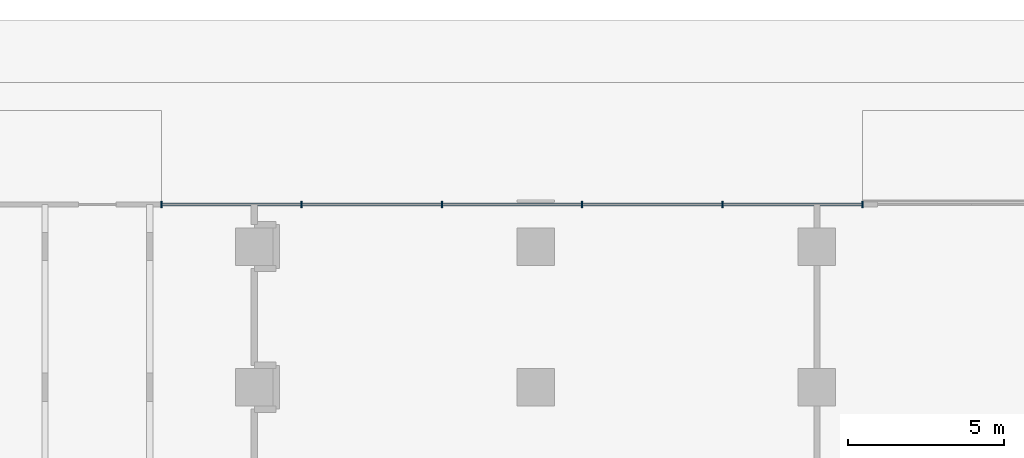
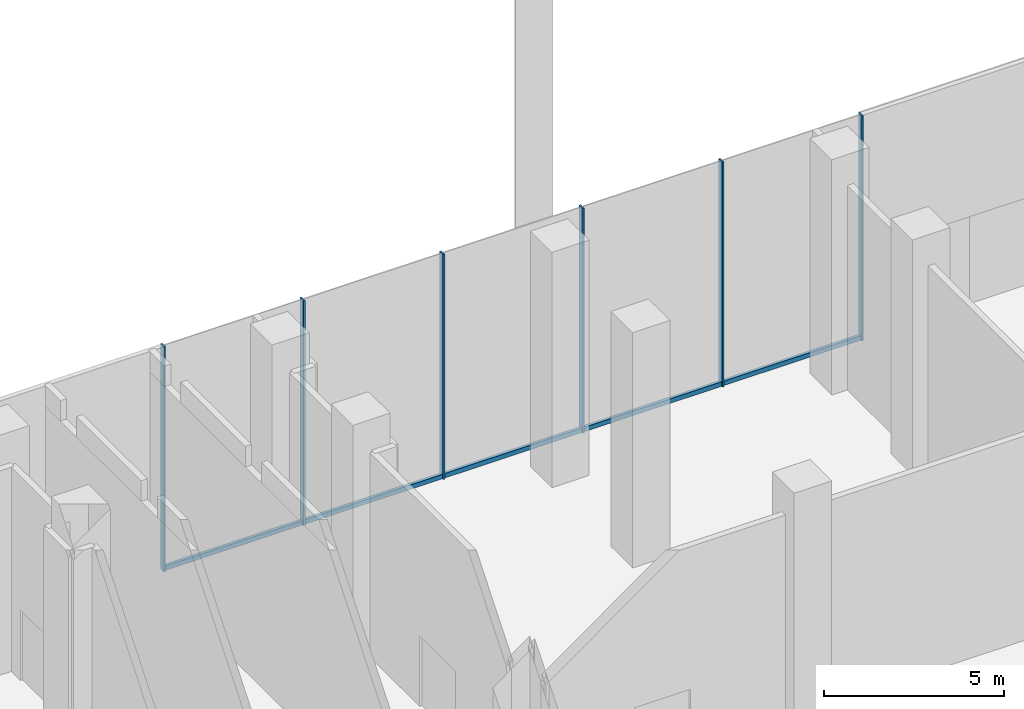
# One storey, part 12 of 42: 7 members, 1 element without a shape of its own.
"""IFC4 building model written with IfcOpenShell, lengths in metres."""

from ifc_helpers import new_model, si_unit, direction, frame, origin, origin_2d, place, context, subcontext, project, spatial, rectangle, extrude, material, layer, layer_set, material_profile, profile_set, type_object, element, aggregate, save


model = new_model("IFC4")

# Units and contexts
model_context = context("Model", 3, precision=1e-05, world=origin(), true_north=direction((0.0, 1.0)))
body_context = subcontext(model_context, "Body", "Model", "MODEL_VIEW")
ifc_project = project(units=[si_unit("LENGTHUNIT", "METRE"), si_unit("AREAUNIT", "SQUARE_METRE"), si_unit("VOLUMEUNIT", "CUBIC_METRE"), si_unit("PLANEANGLEUNIT", "RADIAN"), si_unit("MASSUNIT", "GRAM", prefix="KILO")], contexts=[model_context])

# Site, building, storey
site_placement = place(None, origin())
site = spatial("IfcSite", under=ifc_project, at=site_placement, CompositionType="ELEMENT")
building_placement = place(site_placement, origin())
building = spatial("IfcBuilding", under=site, at=building_placement, Name="Plateau Cross Towers", CompositionType="ELEMENT")
storey_placement = place(building_placement, origin())
storey = spatial("IfcBuildingStorey", under=building, at=storey_placement, Name="L00", CompositionType="ELEMENT", Elevation=0.0)

# Curtain wall, members
ifc_material_1 = material(Name="Dark low-iron laminated glass", Category="glass")
ifc_layer = layer(ifc_material_1, 0.300048828125)
ifc_layer_set = layer_set([ifc_layer], Name="Dark low-iron laminated glass")
curtain_wall_type = type_object("IfcCurtainWallType", Name="Curtain wall structural silicone CW-C", PredefinedType="NOTDEFINED", material=ifc_layer_set)
curtain_wall_placement = place(storey_placement, origin())
curtain_wall = element("IfcCurtainWall", 1, at=curtain_wall_placement, inside=storey, type_object=curtain_wall_type, Name="ENV/P/L00/P645_598", PredefinedType="NOTDEFINED")
ifc_material_2 = material(Name="Black anodised aluminium", Category="aluminium")
ifc_material_profile_1 = material_profile(ifc_material_2, rectangle(XDim=0.050048828125, YDim=0.199951171875, at=origin_2d()), Name="MULLION 50x200")
ifc_profile_set_1 = profile_set([ifc_material_profile_1], Name="Black anodised aluminium")
member_type_1 = type_object("IfcMemberType", Name="Mullion 50x200 structural silicone", PredefinedType="MULLION", material=ifc_profile_set_1)
member_1_placement = place(storey_placement, frame((64.46240234375, 59.85009765625, 0.0), z_axis=(0.0, 0.0, 1.0), x_axis=(-1.0, 0.0, 0.0)))
member_1 = element("IfcMember", 2, at=member_1_placement, type_object=member_type_1, Name="CW-C mullion 1", PredefinedType="MULLION", context=body_context, shape_type="SweptSolid", body=[
    extrude(rectangle(XDim=0.050048828125, YDim=0.199951171875, at=origin_2d()), origin(), (0.0, 0.0, 1.0), 7.64990234375),
])
member_2_placement = place(storey_placement, frame((59.97509765625, 59.85009765625, 0.0), z_axis=(0.0, 0.0, 1.0), x_axis=(-1.0, 0.0, 0.0)))
member_2 = element("IfcMember", 3, at=member_2_placement, type_object=member_type_1, Name="CW-C mullion 2", PredefinedType="MULLION", context=body_context, shape_type="SweptSolid", body=[
    extrude(rectangle(XDim=0.050048828125, YDim=0.199951171875, at=origin_2d()), origin(), (0.0, 0.0, 1.0), 7.64990234375),
])
member_3_placement = place(storey_placement, frame((55.487548828125, 59.85009765625, 0.0), z_axis=(0.0, 0.0, 1.0), x_axis=(-1.0, 0.0, 0.0)))
member_3 = element("IfcMember", 4, at=member_3_placement, type_object=member_type_1, Name="CW-C mullion 3", PredefinedType="MULLION", context=body_context, shape_type="SweptSolid", body=[
    extrude(rectangle(XDim=0.050048828125, YDim=0.199951171875, at=origin_2d()), origin(), (0.0, 0.0, 1.0), 7.64990234375),
])
member_4_placement = place(storey_placement, frame((51.0, 59.85009765625, 0.0), z_axis=(0.0, 0.0, 1.0), x_axis=(-1.0, 0.0, 0.0)))
member_4 = element("IfcMember", 5, at=member_4_placement, type_object=member_type_1, Name="CW-C mullion 4", PredefinedType="MULLION", context=body_context, shape_type="SweptSolid", body=[
    extrude(rectangle(XDim=0.050048828125, YDim=0.199951171875, at=origin_2d()), origin(), (0.0, 0.0, 1.0), 7.64990234375),
])
member_5_placement = place(storey_placement, frame((46.512451171875, 59.85009765625, 0.0), z_axis=(0.0, 0.0, 1.0), x_axis=(-1.0, 0.0, 0.0)))
member_5 = element("IfcMember", 6, at=member_5_placement, type_object=member_type_1, Name="CW-C mullion 5", PredefinedType="MULLION", context=body_context, shape_type="SweptSolid", body=[
    extrude(rectangle(XDim=0.050048828125, YDim=0.199951171875, at=origin_2d()), origin(), (0.0, 0.0, 1.0), 7.64990234375),
])
member_6_placement = place(storey_placement, frame((42.02490234375, 59.85009765625, 0.0), z_axis=(0.0, 0.0, 1.0), x_axis=(-1.0, 0.0, 0.0)))
member_6 = element("IfcMember", 7, at=member_6_placement, type_object=member_type_1, Name="CW-C mullion 6", PredefinedType="MULLION", context=body_context, shape_type="SweptSolid", body=[
    extrude(rectangle(XDim=0.050048828125, YDim=0.199951171875, at=origin_2d()), origin(), (0.0, 0.0, 1.0), 7.64990234375),
])
ifc_material_profile_2 = material_profile(ifc_material_2, rectangle(XDim=0.10009765625, YDim=0.14990234375, at=origin_2d()), Name="TRANSOM 100x150")
ifc_profile_set_2 = profile_set([ifc_material_profile_2], Name="Black anodised aluminium")
member_type_2 = type_object("IfcMemberType", Name="Transom 100x150 structural silicone", PredefinedType="USERDEFINED", material=ifc_profile_set_2)
member_7_placement = place(storey_placement, frame((64.46240234375, 59.85009765625, 0.074951171875), z_axis=(-1.0, 0.0, 0.0), x_axis=(0.0, -1.0, 0.0)))
member_7 = element("IfcMember", 8, at=member_7_placement, type_object=member_type_2, Name="CW-C transom", ObjectType="TRANSOM", PredefinedType="USERDEFINED", context=body_context, shape_type="SweptSolid", body=[
    extrude(rectangle(XDim=0.10009765625, YDim=0.14990234375, at=origin_2d()), origin(), (0.0, 0.0, 1.0), 22.4375),
])
aggregate(curtain_wall, [member_1, member_2, member_3, member_4, member_5, member_6, member_7])

save(model, "model.ifc")
